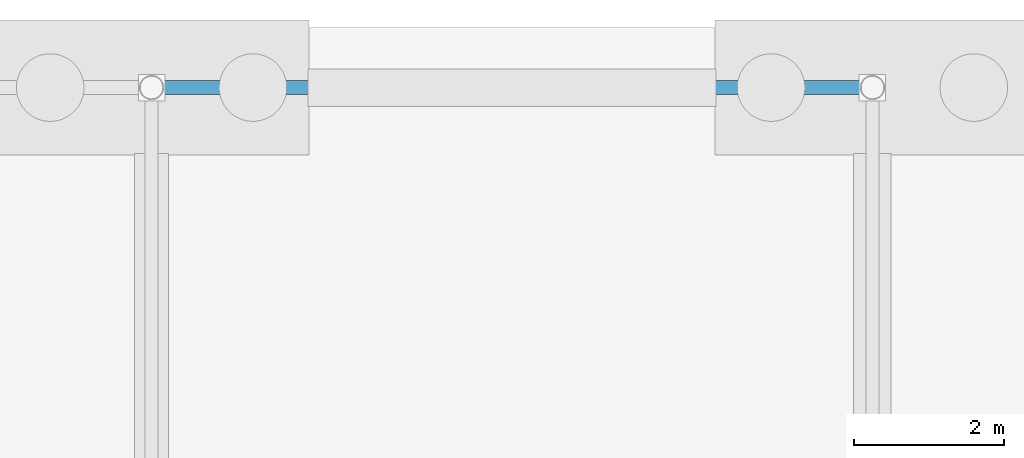
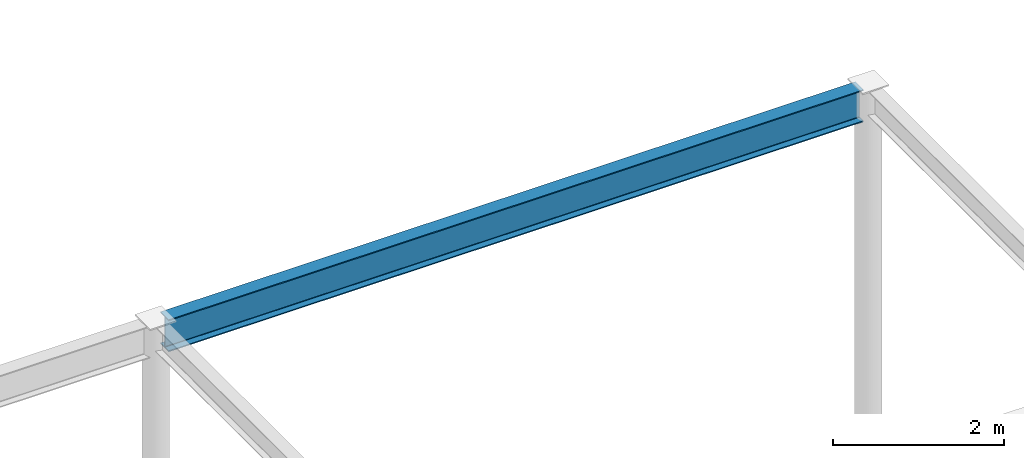
# One storey, part 103 of 142: 1 beam.
"""IFC4 building model written with IfcOpenShell, lengths in metres."""

from ifc_helpers import new_model, si_unit, direction, frame, origin, origin_2d, place, context, subcontext, project, spatial, i_section, extrude, material, material_profile, profile_set, type_object, element, save


model = new_model("IFC4")

# Units and contexts
model_context = context("Model", 3, precision=1e-05, world=origin(), true_north=direction((0.0, 1.0)))
body_context = subcontext(model_context, "Body", "Model", "MODEL_VIEW")
ifc_project = project(units=[si_unit("LENGTHUNIT", "METRE"), si_unit("AREAUNIT", "SQUARE_METRE"), si_unit("VOLUMEUNIT", "CUBIC_METRE"), si_unit("PLANEANGLEUNIT", "RADIAN"), si_unit("MASSUNIT", "GRAM", prefix="KILO")], contexts=[model_context])

# Site, building, storey
site_placement = place(None, origin())
site = spatial("IfcSite", under=ifc_project, at=site_placement, CompositionType="ELEMENT")
building_placement = place(site_placement, origin())
building = spatial("IfcBuilding", under=site, at=building_placement, Name="Coralgate Yard Interchange", CompositionType="ELEMENT")
storey_placement = place(building_placement, origin())
storey = spatial("IfcBuildingStorey", under=building, at=storey_placement, Name="L00", CompositionType="ELEMENT", Elevation=0.0)

# Beam
ifc_material = material(Name="Structural steel S355J2", Category="steel")
ifc_material_profile = material_profile(ifc_material, i_section(OverallWidth=0.1904296875, OverallDepth=0.45703125, WebThickness=0.009033203125, FlangeThickness=0.014404296875, FilletRadius=0.01025390625, at=origin_2d()), Name="UB 457x191x74")
ifc_profile_set = profile_set([ifc_material_profile], Name="Structural steel S355J2")
beam_type = type_object("IfcBeamType", Name="BM-SB-2", PredefinedType="BEAM", material=ifc_profile_set)
beam_placement = place(storey_placement, frame((163.320068359375, 115.199951171875, 5.771484375), z_axis=(1.0, 0.0, 0.0), x_axis=(0.0, 1.0, 0.0)))
element("IfcBeam", 1, at=beam_placement, inside=storey, type_object=beam_type, Name="Wave-canopy valley support girder Y12-X17", PredefinedType="BEAM", context=body_context, shape_type="SweptSolid", body=[
    extrude(i_section(OverallWidth=0.1904296875, OverallDepth=0.45703125, WebThickness=0.009033203125, FlangeThickness=0.014404296875, FilletRadius=0.01025390625, at=origin_2d()), origin(), (0.0, 0.0, 1.0), 9.35986328125),
])

save(model, "model.ifc")
